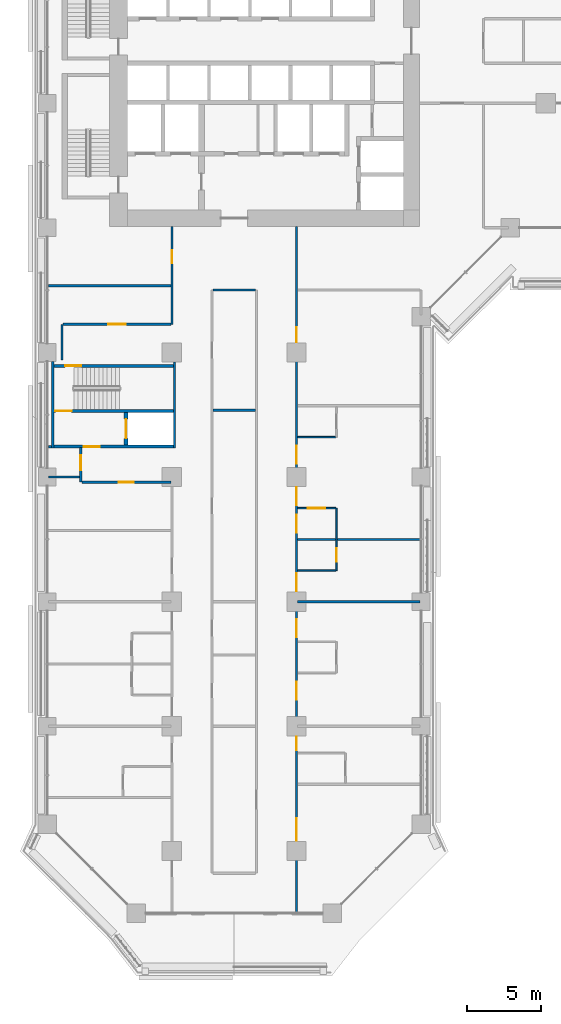
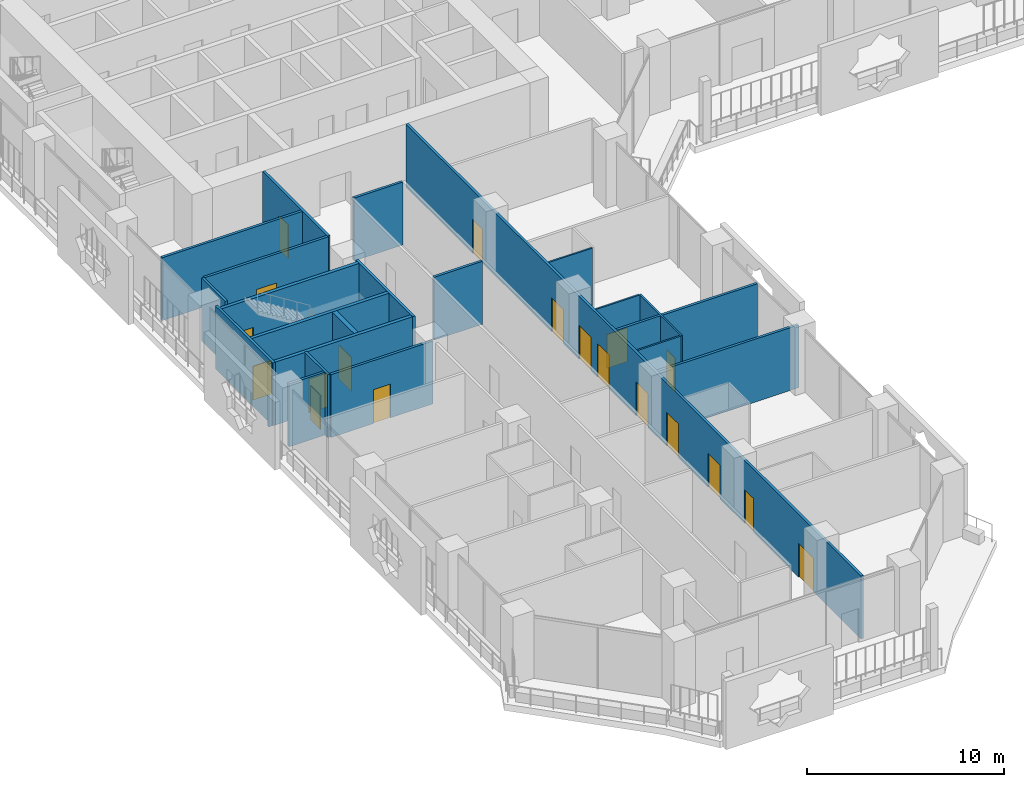
# One storey, part 14 of 28: 23 walls, 19 doors, 19 openings.
"""IFC4 building model written with IfcOpenShell, lengths in metres."""

from ifc_helpers import new_model, si_unit, direction, frame, frame_2d, origin, place, context, subcontext, project, spatial, rectangle, extrude, material, layer, layer_set, type_object, element, fill, save


model = new_model("IFC4")

# Units and contexts
model_context = context("Model", 3, precision=1e-05, world=origin(), true_north=direction((0.0, 1.0)))
body_context = subcontext(model_context, "Body", "Model", "MODEL_VIEW")
ifc_project = project(units=[si_unit("LENGTHUNIT", "METRE"), si_unit("AREAUNIT", "SQUARE_METRE"), si_unit("VOLUMEUNIT", "CUBIC_METRE"), si_unit("PLANEANGLEUNIT", "RADIAN"), si_unit("MASSUNIT", "GRAM", prefix="KILO")], contexts=[model_context])

# Site, building, storey
site_placement = place(None, origin())
site = spatial("IfcSite", under=ifc_project, at=site_placement, CompositionType="ELEMENT")
building_placement = place(site_placement, origin())
building = spatial("IfcBuilding", under=site, at=building_placement, Name="Kawkab Arch Medical Tower", CompositionType="ELEMENT")
storey_placement = place(building_placement, frame((0.0, 0.0, 72.800048828125)))
storey = spatial("IfcBuildingStorey", under=building, at=storey_placement, Name="L16", CompositionType="ELEMENT", Elevation=72.800048828125)

# Wall, opening, door
ifc_material_1 = material(Name="Concrete C60/75", Category="concrete")
ifc_layer_1 = layer(ifc_material_1, 0.25)
ifc_layer_set_1 = layer_set([ifc_layer_1], Name="Concrete C60/75")
wall_type_1 = type_object("IfcWallType", Name="Core shear wall 250 C60/75", PredefinedType="SHEAR", material=ifc_layer_set_1)
wall_1_placement = place(storey_placement, frame((5.300048828125, -39.85009765625, 0.0), z_axis=(0.0, 0.0, 1.0), x_axis=(0.0, 1.0, 0.0)))
wall_1 = element("IfcWall", 1, at=wall_1_placement, inside=storey, type_object=wall_type_1, Name="L16 core shear wall", PredefinedType="SHEAR", context=body_context, shape_type="SweptSolid", body=[
    extrude(rectangle(XDim=2.2001953125, YDim=0.25, at=frame_2d((1.10009765625, 0.0))), origin(), (0.0, 0.0, 1.0), 3.89990234375),
])
opening_1_placement = place(wall_1_placement, frame((0.449951171875, 0.0, 0.0)))
opening_1 = element("IfcOpeningElement", 2, at=opening_1_placement, cuts=wall_1, Name="Opening LD2", PredefinedType="OPENING", context=body_context, shape_type="SweptSolid", body=[
    extrude(rectangle(XDim=1.300048828125, YDim=2.10009765625, at=frame_2d((0.64990234375, 1.050048828125))), frame((0.0, 0.135009765625, 0.0), z_axis=(0.0, -1.0, 0.0), x_axis=(1.0, 0.0, 0.0)), (0.0, 0.0, 1.0), 0.27001953125),
])
ifc_material_2 = material(Name="Stainless steel lift door leaf", Category="steel")
door_type_1 = type_object("IfcDoorType", Name="Lift landing door 1300", OperationType="DOUBLE_DOOR_SLIDING", PredefinedType="DOOR", material=ifc_material_2)
door_1_placement = place(opening_1_placement, origin())
door_1 = element("IfcDoor", 3, at=door_1_placement, inside=storey, type_object=door_type_1, Name="L16 Lift landing door SV2", OperationType="DOUBLE_DOOR_SLIDING", OverallHeight=2.10009765625, OverallWidth=1.300048828125, PredefinedType="DOOR", context=body_context, shape_type="SweptSolid", body=[
    extrude(rectangle(XDim=1.300048828125, YDim=2.10009765625, at=frame_2d((0.64990234375, 1.050048828125))), frame((0.0, 0.02490234375, 0.0), z_axis=(0.0, -1.0, 0.0), x_axis=(1.0, 0.0, 0.0)), (0.0, 0.0, 1.0), 0.050048828125),
])
fill(opening_1, door_1)

# Wall
ifc_material_3 = material(Name="Gypsum board partition on steel studs", Category="steel")
ifc_layer_2 = layer(ifc_material_3, 0.10009765625)
ifc_layer_set_2 = layer_set([ifc_layer_2], Name="Gypsum board partition on steel studs")
wall_type_2 = type_object("IfcWallType", Name="Partition 100", PredefinedType="PARTITIONING", material=ifc_layer_set_2)
wall_2_placement = place(storey_placement, frame((16.875, -48.300048828125, 0.0), z_axis=(0.0, 0.0, 1.0), x_axis=(1.0, 0.0, 0.0)))
element("IfcWall", 4, at=wall_2_placement, inside=storey, type_object=wall_type_2, Name="Partition 100 w007", PredefinedType="PARTITIONING", context=body_context, shape_type="SweptSolid", body=[
    extrude(rectangle(XDim=2.574951171875, YDim=0.10009765625, at=frame_2d((1.28759765625, 0.0))), origin(), (0.0, 0.0, 1.0), 3.89990234375),
])

# Wall, opening, door
wall_3_placement = place(storey_placement, frame((16.875, -44.10009765625, 0.0), z_axis=(0.0, 0.0, 1.0), x_axis=(1.0, 0.0, 0.0)))
wall_3 = element("IfcWall", 5, at=wall_3_placement, inside=storey, type_object=wall_type_2, Name="Partition 100 w008", PredefinedType="PARTITIONING", context=body_context, shape_type="SweptSolid", body=[
    extrude(rectangle(XDim=2.574951171875, YDim=0.10009765625, at=frame_2d((1.28759765625, 0.0))), origin(), (0.0, 0.0, 1.0), 3.89990234375),
])
opening_2_placement = place(wall_3_placement, frame((0.675048828125, 0.0, 0.0)))
opening_2 = element("IfcOpeningElement", 6, at=opening_2_placement, cuts=wall_3, Name="Opening W11-070", PredefinedType="OPENING", context=body_context, shape_type="SweptSolid", body=[
    extrude(rectangle(XDim=1.199951171875, YDim=2.10009765625, at=frame_2d((0.60009765625, 1.050048828125))), frame((0.0, 0.06005859375, 0.0), z_axis=(0.0, -1.0, 0.0), x_axis=(1.0, 0.0, 0.0)), (0.0, 0.0, 1.0), 0.1201171875),
])
ifc_material_4 = material(Name="Timber door leaf", Category="wood")
door_type_2 = type_object("IfcDoorType", Name="Single door 1200x2100", OperationType="NOTDEFINED", PredefinedType="DOOR", material=ifc_material_4)
door_2_placement = place(opening_2_placement, origin())
door_2 = element("IfcDoor", 7, at=door_2_placement, inside=storey, type_object=door_type_2, Name="Door W11-070", OperationType="SINGLE_SWING_LEFT", OverallHeight=2.10009765625, OverallWidth=1.199951171875, PredefinedType="DOOR", context=body_context, shape_type="SweptSolid", body=[
    extrude(rectangle(XDim=1.199951171875, YDim=2.10009765625, at=frame_2d((0.60009765625, 1.050048828125))), frame((0.0, 0.02490234375, 0.0), z_axis=(0.0, -1.0, 0.0), x_axis=(1.0, 0.0, 0.0)), (0.0, 0.0, 1.0), 0.050048828125),
])
fill(opening_2, door_2)

# Wall
wall_4_placement = place(storey_placement, frame((16.875, -39.300048828125, 0.0), z_axis=(0.0, 0.0, 1.0), x_axis=(1.0, 0.0, 0.0)))
element("IfcWall", 8, at=wall_4_placement, inside=storey, type_object=wall_type_2, Name="Partition 100 w009", PredefinedType="PARTITIONING", context=body_context, shape_type="SweptSolid", body=[
    extrude(rectangle(XDim=2.574951171875, YDim=0.10009765625, at=frame_2d((1.28759765625, 0.0))), origin(), (0.0, 0.0, 1.0), 3.89990234375),
])

# Wall, opening, door
wall_5_placement = place(storey_placement, frame((19.5, -48.300048828125, 0.0), z_axis=(0.0, 0.0, 1.0), x_axis=(0.0, 1.0, 0.0)))
wall_5 = element("IfcWall", 9, at=wall_5_placement, inside=storey, type_object=wall_type_2, Name="Partition 100 w024", PredefinedType="PARTITIONING", context=body_context, shape_type="SweptSolid", body=[
    extrude(rectangle(XDim=4.199951171875, YDim=0.10009765625, at=frame_2d((2.10009765625, 0.0))), origin(), (0.0, 0.0, 1.0), 3.89990234375),
])
opening_3_placement = place(wall_5_placement, frame((0.60009765625, 0.0, 0.0)))
opening_3 = element("IfcOpeningElement", 10, at=opening_3_placement, cuts=wall_5, Name="Opening W11-023", PredefinedType="OPENING", context=body_context, shape_type="SweptSolid", body=[
    extrude(rectangle(XDim=0.89990234375, YDim=2.10009765625, at=frame_2d((0.449951171875, 1.050048828125))), frame((0.0, 0.06005859375, 0.0), z_axis=(0.0, -1.0, 0.0), x_axis=(1.0, 0.0, 0.0)), (0.0, 0.0, 1.0), 0.1201171875),
])
ifc_material_5 = material(Name="Timber door leaf", Category="wood")
door_type_3 = type_object("IfcDoorType", Name="Single door 900x2100", OperationType="NOTDEFINED", PredefinedType="DOOR", material=ifc_material_5)
door_3_placement = place(opening_3_placement, origin())
door_3 = element("IfcDoor", 11, at=door_3_placement, inside=storey, type_object=door_type_3, Name="Door W11-023", OperationType="SINGLE_SWING_RIGHT", OverallHeight=2.10009765625, OverallWidth=0.89990234375, PredefinedType="DOOR", context=body_context, shape_type="SweptSolid", body=[
    extrude(rectangle(XDim=0.89990234375, YDim=2.10009765625, at=frame_2d((0.449951171875, 1.050048828125))), frame((0.0, 0.02490234375, 0.0), z_axis=(0.0, -1.0, 0.0), x_axis=(1.0, 0.0, 0.0)), (0.0, 0.0, 1.0), 0.050048828125),
])
fill(opening_3, door_3)

# Walls
ifc_material_6 = material(Name="Gypsum board partition on steel studs, mineral wool", Category="steel")
ifc_layer_3 = layer(ifc_material_6, 0.14990234375)
ifc_layer_set_3 = layer_set([ifc_layer_3], Name="Gypsum board partition on steel studs, mineral wool")
wall_type_3 = type_object("IfcWallType", Name="Partition 150", PredefinedType="PARTITIONING", material=ifc_layer_set_3)
for number, where, z_axis, x_axis, name in (
    (12, (16.875, -50.39990234375, 0.0), (0.0, 0.0, 1.0), (1.0, 0.0, 0.0), "Partition 150 w049"),
    (13, (16.875, -46.199951171875, 0.0), (0.0, 0.0, 1.0), (1.0, 0.0, 0.0), "Partition 150 w050"),
):
    element("IfcWall", number, at=place(storey_placement, frame(where, z_axis=z_axis, x_axis=x_axis)), inside=storey, type_object=wall_type_3, Name=name, PredefinedType="PARTITIONING", context=body_context, shape_type="SweptSolid", body=[
        extrude(rectangle(XDim=8.2451171875, YDim=0.14990234375, at=frame_2d((4.12255859375, 0.0))), origin(), (0.0, 0.0, 1.0), 3.89990234375),
    ])

# Wall, opening, door
wall_6_placement = place(storey_placement, frame((2.326904296875, -42.35009765625, 0.0), z_axis=(0.0, 0.0, 1.0), x_axis=(1.0, 0.0, 0.0)))
wall_6 = element("IfcWall", 14, at=wall_6_placement, inside=storey, type_object=wall_type_3, Name="Partition 150 w052", PredefinedType="PARTITIONING", context=body_context, shape_type="SweptSolid", body=[
    extrude(rectangle(XDim=5.998046875, YDim=0.14990234375, at=frame_2d((2.9990234375, 0.0))), origin(), (0.0, 0.0, 1.0), 3.89990234375),
])
opening_4_placement = place(wall_6_placement, frame((2.4990234375, 0.0, 0.0)))
opening_4 = element("IfcOpeningElement", 15, at=opening_4_placement, cuts=wall_6, Name="Opening W11-034", PredefinedType="OPENING", context=body_context, shape_type="SweptSolid", body=[
    extrude(rectangle(XDim=1.0, YDim=2.10009765625, at=frame_2d((0.5, 1.050048828125))), frame((0.0, 0.0849609375, 0.0), z_axis=(0.0, -1.0, 0.0), x_axis=(1.0, 0.0, 0.0)), (0.0, 0.0, 1.0), 0.169921875),
])
ifc_material_7 = material(Name="Hollow metal door leaf")
door_type_4 = type_object("IfcDoorType", Name="Single door 1000x2100 FD30S", OperationType="NOTDEFINED", PredefinedType="DOOR", material=ifc_material_7)
door_4_placement = place(opening_4_placement, origin())
door_4 = element("IfcDoor", 16, at=door_4_placement, inside=storey, type_object=door_type_4, Name="Door W11-034", OperationType="SINGLE_SWING_RIGHT", OverallHeight=2.10009765625, OverallWidth=1.0, PredefinedType="DOOR", context=body_context, shape_type="SweptSolid", body=[
    extrude(rectangle(XDim=1.0, YDim=2.10009765625, at=frame_2d((0.5, 1.050048828125))), frame((0.0, 0.02490234375, 0.0), z_axis=(0.0, -1.0, 0.0), x_axis=(1.0, 0.0, 0.0)), (0.0, 0.0, 1.0), 0.050048828125),
])
fill(opening_4, door_4)

# Walls
wall_7_placement = place(storey_placement, frame((0.080078125, -42.0, 0.0), z_axis=(0.0, 0.0, 1.0), x_axis=(1.0, 0.0, 0.0)))
element("IfcWall", 17, at=wall_7_placement, inside=storey, type_object=wall_type_3, Name="Partition 150 w053", PredefinedType="PARTITIONING", context=body_context, shape_type="SweptSolid", body=[
    extrude(rectangle(XDim=2.094970703125, YDim=0.14990234375, at=frame_2d((1.04736328125, 0.0))), origin(), (0.0, 0.0, 1.0), 3.89990234375),
])
wall_8_placement = place(storey_placement, frame((0.080078125, -39.949951171875, 0.0), z_axis=(0.0, 0.0, 1.0), x_axis=(1.0, 0.0, 0.0)))
element("IfcWall", 18, at=wall_8_placement, inside=storey, type_object=wall_type_3, Name="Partition 150 w054", PredefinedType="PARTITIONING", context=body_context, shape_type="SweptSolid", body=[
    extrude(rectangle(XDim=0.18994140625, YDim=0.14990234375, at=frame_2d((0.094970703125, 0.0))), origin(), (0.0, 0.0, 1.0), 3.89990234375),
])
wall_9_placement = place(storey_placement, frame((11.175048828125, -37.5, 0.0), z_axis=(0.0, 0.0, 1.0), x_axis=(1.0, 0.0, 0.0)))
element("IfcWall", 19, at=wall_9_placement, inside=storey, type_object=wall_type_3, Name="Partition 150 w055", PredefinedType="PARTITIONING", context=body_context, shape_type="SweptSolid", body=[
    extrude(rectangle(XDim=2.849853515625, YDim=0.14990234375, at=frame_2d((1.4248046875, 0.0))), origin(), (0.0, 0.0, 1.0), 3.89990234375),
])

# Wall, opening, door
wall_10_placement = place(storey_placement, frame((1.076904296875, -31.70703125, 0.0), z_axis=(0.0, 0.0, 1.0), x_axis=(1.0, 0.0, 0.0)))
wall_10 = element("IfcWall", 20, at=wall_10_placement, inside=storey, type_object=wall_type_3, Name="Partition 150 w057", PredefinedType="PARTITIONING", context=body_context, shape_type="SweptSolid", body=[
    extrude(rectangle(XDim=7.248046875, YDim=0.14990234375, at=frame_2d((3.6240234375, 0.0))), origin(), (0.0, 0.0, 1.0), 3.89990234375),
])
opening_5_placement = place(wall_10_placement, frame((3.02392578125, 0.0, 0.0)))
opening_5 = element("IfcOpeningElement", 21, at=opening_5_placement, cuts=wall_10, Name="Opening W11-062", PredefinedType="OPENING", context=body_context, shape_type="SweptSolid", body=[
    extrude(rectangle(XDim=1.199951171875, YDim=2.10009765625, at=frame_2d((0.60009765625, 1.050048828125))), frame((0.0, 0.0849609375, 0.0), z_axis=(0.0, -1.0, 0.0), x_axis=(1.0, 0.0, 0.0)), (0.0, 0.0, 1.0), 0.169921875),
])
ifc_material_8 = material(Name="Hollow metal door leaf")
door_type_5 = type_object("IfcDoorType", Name="Single door 1200x2100 FD30S", OperationType="NOTDEFINED", PredefinedType="DOOR", material=ifc_material_8)
door_5_placement = place(opening_5_placement, origin())
door_5 = element("IfcDoor", 22, at=door_5_placement, inside=storey, type_object=door_type_5, Name="Door W11-062", OperationType="SINGLE_SWING_LEFT", OverallHeight=2.10009765625, OverallWidth=1.199951171875, PredefinedType="DOOR", context=body_context, shape_type="SweptSolid", body=[
    extrude(rectangle(XDim=1.199951171875, YDim=2.10009765625, at=frame_2d((0.60009765625, 1.050048828125))), frame((0.0, 0.02490234375, 0.0), z_axis=(0.0, -1.0, 0.0), x_axis=(1.0, 0.0, 0.0)), (0.0, 0.0, 1.0), 0.050048828125),
])
fill(opening_5, door_5)

# Walls
wall_11_placement = place(storey_placement, frame((11.175048828125, -29.39990234375, 0.0), z_axis=(0.0, 0.0, 1.0), x_axis=(1.0, 0.0, 0.0)))
element("IfcWall", 23, at=wall_11_placement, inside=storey, type_object=wall_type_3, Name="Partition 150 w058", PredefinedType="PARTITIONING", context=body_context, shape_type="SweptSolid", body=[
    extrude(rectangle(XDim=2.849853515625, YDim=0.14990234375, at=frame_2d((1.4248046875, 0.0))), origin(), (0.0, 0.0, 1.0), 3.89990234375),
])
wall_12_placement = place(storey_placement, frame((0.080078125, -29.10009765625, 0.0), z_axis=(0.0, 0.0, 1.0), x_axis=(1.0, 0.0, 0.0)))
element("IfcWall", 24, at=wall_12_placement, inside=storey, type_object=wall_type_3, Name="Partition 150 w060", PredefinedType="PARTITIONING", context=body_context, shape_type="SweptSolid", body=[
    extrude(rectangle(XDim=8.244873046875, YDim=0.14990234375, at=frame_2d((4.12255859375, 0.0))), origin(), (0.0, 0.0, 1.0), 3.89990234375),
])
wall_13_placement = place(storey_placement, frame((1.0, -34.123046875, 0.0), z_axis=(0.0, 0.0, 1.0), x_axis=(0.0, 1.0, 0.0)))
element("IfcWall", 25, at=wall_13_placement, inside=storey, type_object=wall_type_3, Name="Partition 150 w071", PredefinedType="PARTITIONING", context=body_context, shape_type="SweptSolid", body=[
    extrude(rectangle(XDim=2.4150390625, YDim=0.14990234375, at=frame_2d((1.20751953125, 0.0))), origin(), (0.0, 0.0, 1.0), 3.89990234375),
])

# Wall, opening, door
wall_14_placement = place(storey_placement, frame((2.25, -42.347900390625, 0.0), z_axis=(0.0, 0.0, 1.0), x_axis=(0.0, 1.0, 0.0)))
wall_14 = element("IfcWall", 26, at=wall_14_placement, inside=storey, type_object=wall_type_3, Name="Partition 150 w072", PredefinedType="PARTITIONING", context=body_context, shape_type="SweptSolid", body=[
    extrude(rectangle(XDim=2.347900390625, YDim=0.14990234375, at=frame_2d((1.173828125, 0.0))), origin(), (0.0, 0.0, 1.0), 3.89990234375),
])
opening_6_placement = place(wall_14_placement, frame((0.822998046875, 0.0, 0.0)))
opening_6 = element("IfcOpeningElement", 27, at=opening_6_placement, cuts=wall_14, Name="Opening W11-033", PredefinedType="OPENING", context=body_context, shape_type="SweptSolid", body=[
    extrude(rectangle(XDim=1.0, YDim=2.10009765625, at=frame_2d((0.5, 1.050048828125))), frame((0.0, 0.0849609375, 0.0), z_axis=(0.0, -1.0, 0.0), x_axis=(1.0, 0.0, 0.0)), (0.0, 0.0, 1.0), 0.169921875),
])
door_6_placement = place(opening_6_placement, origin())
door_6 = element("IfcDoor", 28, at=door_6_placement, inside=storey, type_object=door_type_4, Name="Door W11-033", OperationType="SINGLE_SWING_RIGHT", OverallHeight=2.10009765625, OverallWidth=1.0, PredefinedType="DOOR", context=body_context, shape_type="SweptSolid", body=[
    extrude(rectangle(XDim=1.0, YDim=2.10009765625, at=frame_2d((0.5, 1.050048828125))), frame((0.0, 0.02490234375, 0.0), z_axis=(0.0, -1.0, 0.0), x_axis=(1.0, 0.0, 0.0)), (0.0, 0.0, 1.0), 0.050048828125),
])
fill(opening_6, door_6)

wall_15_placement = place(storey_placement, frame((8.39990234375, -31.70703125, 0.0), z_axis=(0.0, 0.0, 1.0), x_axis=(0.0, 1.0, 0.0)))
wall_15 = element("IfcWall", 29, at=wall_15_placement, inside=storey, type_object=wall_type_3, Name="Partition 150 w074", PredefinedType="PARTITIONING", context=body_context, shape_type="SweptSolid", body=[
    extrude(rectangle(XDim=6.60693359375, YDim=0.14990234375, at=frame_2d((3.303466796875, 0.0))), origin(), (0.0, 0.0, 1.0), 3.89990234375),
])
opening_7_placement = place(wall_15_placement, frame((4.10693359375, 0.0, 0.0)))
opening_7 = element("IfcOpeningElement", 30, at=opening_7_placement, cuts=wall_15, Name="Opening W11-017", PredefinedType="OPENING", context=body_context, shape_type="SweptSolid", body=[
    extrude(rectangle(XDim=0.89990234375, YDim=2.10009765625, at=frame_2d((0.449951171875, 1.050048828125))), frame((0.0, 0.0849609375, 0.0), z_axis=(0.0, -1.0, 0.0), x_axis=(1.0, 0.0, 0.0)), (0.0, 0.0, 1.0), 0.169921875),
])
door_7_placement = place(opening_7_placement, origin())
door_7 = element("IfcDoor", 31, at=door_7_placement, inside=storey, type_object=door_type_3, Name="Door W11-017", OperationType="SINGLE_SWING_RIGHT", OverallHeight=2.10009765625, OverallWidth=0.89990234375, PredefinedType="DOOR", context=body_context, shape_type="SweptSolid", body=[
    extrude(rectangle(XDim=0.89990234375, YDim=2.10009765625, at=frame_2d((0.449951171875, 1.050048828125))), frame((0.0, 0.02490234375, 0.0), z_axis=(0.0, -1.0, 0.0), x_axis=(1.0, 0.0, 0.0)), (0.0, 0.0, 1.0), 0.050048828125),
])
fill(opening_7, door_7)

# Wall, openings, doors
wall_16_placement = place(storey_placement, frame((16.800048828125, -71.320068359375, 0.0), z_axis=(0.0, 0.0, 1.0), x_axis=(0.0, 1.0, 0.0)))
wall_16 = element("IfcWall", 32, at=wall_16_placement, inside=storey, type_object=wall_type_3, Name="Partition 150 w077", PredefinedType="PARTITIONING", context=body_context, shape_type="SweptSolid", body=[
    extrude(rectangle(XDim=46.219970703125, YDim=0.14990234375, at=frame_2d((23.10986328125, 0.0))), origin(), (0.0, 0.0, 1.0), 3.89990234375),
])
opening_8_placement = place(wall_16_placement, frame((38.419921875, 0.0, 0.0)))
opening_8 = element("IfcOpeningElement", 33, at=opening_8_placement, cuts=wall_16, Name="Opening W11-040", PredefinedType="OPENING", context=body_context, shape_type="SweptSolid", body=[
    extrude(rectangle(XDim=1.0, YDim=2.10009765625, at=frame_2d((0.5, 1.050048828125))), frame((0.0, 0.0849609375, 0.0), z_axis=(0.0, -1.0, 0.0), x_axis=(1.0, 0.0, 0.0)), (0.0, 0.0, 1.0), 0.169921875),
])
opening_9_placement = place(wall_16_placement, frame((30.219970703125, 0.0, 0.0)))
opening_9 = element("IfcOpeningElement", 34, at=opening_9_placement, cuts=wall_16, Name="Opening W11-067", PredefinedType="OPENING", context=body_context, shape_type="SweptSolid", body=[
    extrude(rectangle(XDim=1.199951171875, YDim=2.10009765625, at=frame_2d((0.60009765625, 1.050048828125))), frame((0.0, 0.0849609375, 0.0), z_axis=(0.0, -1.0, 0.0), x_axis=(1.0, 0.0, 0.0)), (0.0, 0.0, 1.0), 0.169921875),
])
opening_10_placement = place(wall_16_placement, frame((27.419921875, 0.0, 0.0)))
opening_10 = element("IfcOpeningElement", 35, at=opening_10_placement, cuts=wall_16, Name="Opening W11-068", PredefinedType="OPENING", context=body_context, shape_type="SweptSolid", body=[
    extrude(rectangle(XDim=1.199951171875, YDim=2.10009765625, at=frame_2d((0.60009765625, 1.050048828125))), frame((0.0, 0.0849609375, 0.0), z_axis=(0.0, -1.0, 0.0), x_axis=(1.0, 0.0, 0.0)), (0.0, 0.0, 1.0), 0.169921875),
])
opening_11_placement = place(wall_16_placement, frame((25.570068359375, 0.0, 0.0)))
opening_11 = element("IfcOpeningElement", 36, at=opening_11_placement, cuts=wall_16, Name="Opening W11-069", PredefinedType="OPENING", context=body_context, shape_type="SweptSolid", body=[
    extrude(rectangle(XDim=1.199951171875, YDim=2.10009765625, at=frame_2d((0.60009765625, 1.050048828125))), frame((0.0, 0.0849609375, 0.0), z_axis=(0.0, -1.0, 0.0), x_axis=(1.0, 0.0, 0.0)), (0.0, 0.0, 1.0), 0.169921875),
])
opening_12_placement = place(wall_16_placement, frame((21.6201171875, 0.0, 0.0)))
opening_12 = element("IfcOpeningElement", 37, at=opening_12_placement, cuts=wall_16, Name="Opening W11-071", PredefinedType="OPENING", context=body_context, shape_type="SweptSolid", body=[
    extrude(rectangle(XDim=1.199951171875, YDim=2.10009765625, at=frame_2d((0.60009765625, 1.050048828125))), frame((0.0, 0.0849609375, 0.0), z_axis=(0.0, -1.0, 0.0), x_axis=(1.0, 0.0, 0.0)), (0.0, 0.0, 1.0), 0.169921875),
])
opening_13_placement = place(wall_16_placement, frame((14.320068359375, 0.0, 0.0)))
opening_13 = element("IfcOpeningElement", 38, at=opening_13_placement, cuts=wall_16, Name="Opening W11-072", PredefinedType="OPENING", context=body_context, shape_type="SweptSolid", body=[
    extrude(rectangle(XDim=1.199951171875, YDim=2.10009765625, at=frame_2d((0.60009765625, 1.050048828125))), frame((0.0, 0.0849609375, 0.0), z_axis=(0.0, -1.0, 0.0), x_axis=(1.0, 0.0, 0.0)), (0.0, 0.0, 1.0), 0.169921875),
])
opening_14_placement = place(wall_16_placement, frame((18.52001953125, 0.0, 0.0)))
opening_14 = element("IfcOpeningElement", 39, at=opening_14_placement, cuts=wall_16, Name="Opening W11-073", PredefinedType="OPENING", context=body_context, shape_type="SweptSolid", body=[
    extrude(rectangle(XDim=1.199951171875, YDim=2.10009765625, at=frame_2d((0.60009765625, 1.050048828125))), frame((0.0, 0.0849609375, 0.0), z_axis=(0.0, -1.0, 0.0), x_axis=(1.0, 0.0, 0.0)), (0.0, 0.0, 1.0), 0.169921875),
])
opening_15_placement = place(wall_16_placement, frame((10.919921875, 0.0, 0.0)))
opening_15 = element("IfcOpeningElement", 40, at=opening_15_placement, cuts=wall_16, Name="Opening W11-027", PredefinedType="OPENING", context=body_context, shape_type="SweptSolid", body=[
    extrude(rectangle(XDim=0.89990234375, YDim=2.10009765625, at=frame_2d((0.449951171875, 1.050048828125))), frame((0.0, 0.0849609375, 0.0), z_axis=(0.0, -1.0, 0.0), x_axis=(1.0, 0.0, 0.0)), (0.0, 0.0, 1.0), 0.169921875),
])
opening_16_placement = place(wall_16_placement, frame((4.820068359375, 0.0, 0.0)))
opening_16 = element("IfcOpeningElement", 41, at=opening_16_placement, cuts=wall_16, Name="Opening W11-005", PredefinedType="OPENING", context=body_context, shape_type="SweptSolid", body=[
    extrude(rectangle(XDim=1.5, YDim=2.10009765625, at=frame_2d((0.75, 1.050048828125))), frame((0.0, 0.0849609375, 0.0), z_axis=(0.0, -1.0, 0.0), x_axis=(1.0, 0.0, 0.0)), (0.0, 0.0, 1.0), 0.169921875),
])
ifc_material_9 = material(Name="Hollow metal door leaf")
door_type_6 = type_object("IfcDoorType", Name="Double door 1500x2100 FD30S", OperationType="NOTDEFINED", PredefinedType="DOOR", material=ifc_material_9)
door_8_placement = place(opening_16_placement, origin())
door_8 = element("IfcDoor", 42, at=door_8_placement, inside=storey, type_object=door_type_6, Name="Door W11-005", OperationType="DOUBLE_DOOR_SINGLE_SWING", OverallHeight=2.10009765625, OverallWidth=1.5, PredefinedType="DOOR", context=body_context, shape_type="SweptSolid", body=[
    extrude(rectangle(XDim=1.5, YDim=2.10009765625, at=frame_2d((0.75, 1.050048828125))), frame((0.0, 0.02490234375, 0.0), z_axis=(0.0, -1.0, 0.0), x_axis=(1.0, 0.0, 0.0)), (0.0, 0.0, 1.0), 0.050048828125),
])
fill(opening_16, door_8)
door_9_placement = place(opening_8_placement, origin())
door_9 = element("IfcDoor", 43, at=door_9_placement, inside=storey, type_object=door_type_4, Name="Door W11-040", OperationType="SINGLE_SWING_LEFT", OverallHeight=2.10009765625, OverallWidth=1.0, PredefinedType="DOOR", context=body_context, shape_type="SweptSolid", body=[
    extrude(rectangle(XDim=1.0, YDim=2.10009765625, at=frame_2d((0.5, 1.050048828125))), frame((0.0, 0.02490234375, 0.0), z_axis=(0.0, -1.0, 0.0), x_axis=(1.0, 0.0, 0.0)), (0.0, 0.0, 1.0), 0.050048828125),
])
fill(opening_8, door_9)
door_10_placement = place(opening_9_placement, origin())
door_10 = element("IfcDoor", 44, at=door_10_placement, inside=storey, type_object=door_type_5, Name="Door W11-067", OperationType="SINGLE_SWING_LEFT", OverallHeight=2.10009765625, OverallWidth=1.199951171875, PredefinedType="DOOR", context=body_context, shape_type="SweptSolid", body=[
    extrude(rectangle(XDim=1.199951171875, YDim=2.10009765625, at=frame_2d((0.60009765625, 1.050048828125))), frame((0.0, 0.02490234375, 0.0), z_axis=(0.0, -1.0, 0.0), x_axis=(1.0, 0.0, 0.0)), (0.0, 0.0, 1.0), 0.050048828125),
])
fill(opening_9, door_10)
door_11_placement = place(opening_10_placement, origin())
door_11 = element("IfcDoor", 45, at=door_11_placement, inside=storey, type_object=door_type_5, Name="Door W11-068", OperationType="SINGLE_SWING_LEFT", OverallHeight=2.10009765625, OverallWidth=1.199951171875, PredefinedType="DOOR", context=body_context, shape_type="SweptSolid", body=[
    extrude(rectangle(XDim=1.199951171875, YDim=2.10009765625, at=frame_2d((0.60009765625, 1.050048828125))), frame((0.0, 0.02490234375, 0.0), z_axis=(0.0, -1.0, 0.0), x_axis=(1.0, 0.0, 0.0)), (0.0, 0.0, 1.0), 0.050048828125),
])
fill(opening_10, door_11)
door_12_placement = place(opening_11_placement, origin())
door_12 = element("IfcDoor", 46, at=door_12_placement, inside=storey, type_object=door_type_5, Name="Door W11-069", OperationType="SINGLE_SWING_LEFT", OverallHeight=2.10009765625, OverallWidth=1.199951171875, PredefinedType="DOOR", context=body_context, shape_type="SweptSolid", body=[
    extrude(rectangle(XDim=1.199951171875, YDim=2.10009765625, at=frame_2d((0.60009765625, 1.050048828125))), frame((0.0, 0.02490234375, 0.0), z_axis=(0.0, -1.0, 0.0), x_axis=(1.0, 0.0, 0.0)), (0.0, 0.0, 1.0), 0.050048828125),
])
fill(opening_11, door_12)
door_13_placement = place(opening_12_placement, origin())
door_13 = element("IfcDoor", 47, at=door_13_placement, inside=storey, type_object=door_type_5, Name="Door W11-071", OperationType="SINGLE_SWING_RIGHT", OverallHeight=2.10009765625, OverallWidth=1.199951171875, PredefinedType="DOOR", context=body_context, shape_type="SweptSolid", body=[
    extrude(rectangle(XDim=1.199951171875, YDim=2.10009765625, at=frame_2d((0.60009765625, 1.050048828125))), frame((0.0, 0.02490234375, 0.0), z_axis=(0.0, -1.0, 0.0), x_axis=(1.0, 0.0, 0.0)), (0.0, 0.0, 1.0), 0.050048828125),
])
fill(opening_12, door_13)
door_14_placement = place(opening_13_placement, origin())
door_14 = element("IfcDoor", 48, at=door_14_placement, inside=storey, type_object=door_type_5, Name="Door W11-072", OperationType="SINGLE_SWING_RIGHT", OverallHeight=2.10009765625, OverallWidth=1.199951171875, PredefinedType="DOOR", context=body_context, shape_type="SweptSolid", body=[
    extrude(rectangle(XDim=1.199951171875, YDim=2.10009765625, at=frame_2d((0.60009765625, 1.050048828125))), frame((0.0, 0.02490234375, 0.0), z_axis=(0.0, -1.0, 0.0), x_axis=(1.0, 0.0, 0.0)), (0.0, 0.0, 1.0), 0.050048828125),
])
fill(opening_13, door_14)
door_15_placement = place(opening_14_placement, origin())
door_15 = element("IfcDoor", 49, at=door_15_placement, inside=storey, type_object=door_type_5, Name="Door W11-073", OperationType="SINGLE_SWING_RIGHT", OverallHeight=2.10009765625, OverallWidth=1.199951171875, PredefinedType="DOOR", context=body_context, shape_type="SweptSolid", body=[
    extrude(rectangle(XDim=1.199951171875, YDim=2.10009765625, at=frame_2d((0.60009765625, 1.050048828125))), frame((0.0, 0.02490234375, 0.0), z_axis=(0.0, -1.0, 0.0), x_axis=(1.0, 0.0, 0.0)), (0.0, 0.0, 1.0), 0.050048828125),
])
fill(opening_14, door_15)
ifc_material_10 = material(Name="Hollow metal door leaf")
door_type_7 = type_object("IfcDoorType", Name="Single door 900x2100 FD30S", OperationType="NOTDEFINED", PredefinedType="DOOR", material=ifc_material_10)
door_16_placement = place(opening_15_placement, origin())
door_16 = element("IfcDoor", 50, at=door_16_placement, inside=storey, type_object=door_type_7, Name="Door W11-027", OperationType="SINGLE_SWING_RIGHT", OverallHeight=2.10009765625, OverallWidth=0.89990234375, PredefinedType="DOOR", context=body_context, shape_type="SweptSolid", body=[
    extrude(rectangle(XDim=0.89990234375, YDim=2.10009765625, at=frame_2d((0.449951171875, 1.050048828125))), frame((0.0, 0.02490234375, 0.0), z_axis=(0.0, -1.0, 0.0), x_axis=(1.0, 0.0, 0.0)), (0.0, 0.0, 1.0), 0.050048828125),
])
fill(opening_15, door_16)

# Walls
ifc_material_11 = material(Name="Concrete C50/60", Category="concrete")
ifc_layer_4 = layer(ifc_material_11, 0.14990234375)
ifc_layer_set_4 = layer_set([ifc_layer_4], Name="Concrete C50/60")
wall_type_4 = type_object("IfcWallType", Name="Stair enclosure wall 150 C50/60", PredefinedType="SHEAR", material=ifc_layer_set_4)
wall_17_placement = place(storey_placement, frame((0.375, -40.050048828125, 0.0), z_axis=(0.0, 0.0, 1.0), x_axis=(0.0, 1.0, 0.0)))
element("IfcWall", 51, at=wall_17_placement, inside=storey, type_object=wall_type_4, Name="L16 stair enclosure wall", PredefinedType="SHEAR", context=body_context, shape_type="SweptSolid", body=[
    extrude(rectangle(XDim=5.85009765625, YDim=0.14990234375, at=frame_2d((2.925048828125, 0.0))), origin(), (0.0, 0.0, 1.0), 3.89990234375),
])
wall_18_placement = place(storey_placement, frame((8.574951171875, -40.050048828125, 0.0), z_axis=(0.0, 0.0, 1.0), x_axis=(0.0, 1.0, 0.0)))
element("IfcWall", 52, at=wall_18_placement, inside=storey, type_object=wall_type_4, Name="L16 stair enclosure wall", PredefinedType="SHEAR", context=body_context, shape_type="SweptSolid", body=[
    extrude(rectangle(XDim=5.800048828125, YDim=0.14990234375, at=frame_2d((2.89990234375, 0.0))), origin(), (0.0, 0.0, 1.0), 3.89990234375),
])

# Wall, opening, door
ifc_material_12 = material(Name="Concrete C50/60", Category="concrete")
ifc_layer_5 = layer(ifc_material_12, 0.199951171875)
ifc_layer_set_5 = layer_set([ifc_layer_5], Name="Concrete C50/60")
wall_type_5 = type_object("IfcWallType", Name="Stair enclosure wall 200 C50/60", PredefinedType="SHEAR", material=ifc_layer_set_5)
wall_19_placement = place(storey_placement, frame((0.449951171875, -34.5, 0.0), z_axis=(0.0, 0.0, 1.0), x_axis=(1.0, 0.0, 0.0)))
wall_19 = element("IfcWall", 53, at=wall_19_placement, inside=storey, type_object=wall_type_5, Name="L16 stair enclosure wall", PredefinedType="SHEAR", context=body_context, shape_type="SweptSolid", body=[
    extrude(rectangle(XDim=8.050048828125, YDim=0.199951171875, at=frame_2d((4.02490234375, 0.0))), origin(), (0.0, 0.0, 1.0), 3.89990234375),
])
opening_17_placement = place(wall_19_placement, frame((0.75, 0.0, 0.0)))
opening_17 = element("IfcOpeningElement", 54, at=opening_17_placement, cuts=wall_19, Name="Opening SD", PredefinedType="OPENING", context=body_context, shape_type="SweptSolid", body=[
    extrude(rectangle(XDim=1.10009765625, YDim=2.10009765625, at=frame_2d((0.550048828125, 1.050048828125))), frame((0.0, 0.10986328125, 0.0), z_axis=(0.0, -1.0, 0.0), x_axis=(1.0, 0.0, 0.0)), (0.0, 0.0, 1.0), 0.219970703125),
])
ifc_material_13 = material(Name="Hollow metal fire door leaf")
door_type_8 = type_object("IfcDoorType", Name="Exit stair door 1100", OperationType="SINGLE_SWING_LEFT", PredefinedType="DOOR", material=ifc_material_13)
door_17_placement = place(opening_17_placement, origin())
door_17 = element("IfcDoor", 55, at=door_17_placement, inside=storey, type_object=door_type_8, Name="L16 Exit stair ST6 door", OperationType="SINGLE_SWING_LEFT", OverallHeight=2.10009765625, OverallWidth=1.10009765625, PredefinedType="DOOR", context=body_context, shape_type="SweptSolid", body=[
    extrude(rectangle(XDim=1.10009765625, YDim=2.10009765625, at=frame_2d((0.550048828125, 1.050048828125))), frame((0.0, 0.02490234375, 0.0), z_axis=(0.0, -1.0, 0.0), x_axis=(1.0, 0.0, 0.0)), (0.0, 0.0, 1.0), 0.050048828125),
])
fill(opening_17, door_17)

wall_20_placement = place(storey_placement, frame((0.449951171875, -37.550048828125, 0.0), z_axis=(0.0, 0.0, 1.0), x_axis=(1.0, 0.0, 0.0)))
wall_20 = element("IfcWall", 56, at=wall_20_placement, inside=storey, type_object=wall_type_5, Name="L16 stair enclosure wall", PredefinedType="SHEAR", context=body_context, shape_type="SweptSolid", body=[
    extrude(rectangle(XDim=8.050048828125, YDim=0.199951171875, at=frame_2d((4.02490234375, 0.0))), origin(), (0.0, 0.0, 1.0), 3.89990234375),
])
opening_18_placement = place(wall_20_placement, frame((0.10009765625, 0.0, 0.0)))
opening_18 = element("IfcOpeningElement", 57, at=opening_18_placement, cuts=wall_20, Name="Opening SD", PredefinedType="OPENING", context=body_context, shape_type="SweptSolid", body=[
    extrude(rectangle(XDim=1.10009765625, YDim=2.10009765625, at=frame_2d((0.550048828125, 1.050048828125))), frame((0.0, 0.10986328125, 0.0), z_axis=(0.0, -1.0, 0.0), x_axis=(1.0, 0.0, 0.0)), (0.0, 0.0, 1.0), 0.219970703125),
])
door_18_placement = place(opening_18_placement, frame((1.10009765625, 0.0, 0.0), z_axis=(0.0, 0.0, 1.0), x_axis=(-1.0, 0.0, 0.0)))
door_18 = element("IfcDoor", 58, at=door_18_placement, inside=storey, type_object=door_type_8, Name="L16 Exit stair ST6 lobby door", OperationType="SINGLE_SWING_LEFT", OverallHeight=2.10009765625, OverallWidth=1.10009765625, PredefinedType="DOOR", context=body_context, shape_type="SweptSolid", body=[
    extrude(rectangle(XDim=1.10009765625, YDim=2.10009765625, at=frame_2d((0.550048828125, 1.050048828125))), frame((0.0, 0.02490234375, 0.0), z_axis=(0.0, -1.0, 0.0), x_axis=(1.0, 0.0, 0.0)), (0.0, 0.0, 1.0), 0.050048828125),
])
fill(opening_18, door_18)

wall_21_placement = place(storey_placement, frame((0.449951171875, -39.949951171875, 0.0), z_axis=(0.0, 0.0, 1.0), x_axis=(1.0, 0.0, 0.0)))
wall_21 = element("IfcWall", 59, at=wall_21_placement, inside=storey, type_object=wall_type_5, Name="L16 stair enclosure wall", PredefinedType="SHEAR", context=body_context, shape_type="SweptSolid", body=[
    extrude(rectangle(XDim=8.050048828125, YDim=0.199951171875, at=frame_2d((4.02490234375, 0.0))), origin(), (0.0, 0.0, 1.0), 3.89990234375),
])
opening_19_placement = place(wall_21_placement, frame((2.0, 0.0, 0.0)))
opening_19 = element("IfcOpeningElement", 60, at=opening_19_placement, cuts=wall_21, Name="Opening FD", PredefinedType="OPENING", context=body_context, shape_type="SweptSolid", body=[
    extrude(rectangle(XDim=1.10009765625, YDim=2.10009765625, at=frame_2d((0.550048828125, 1.050048828125))), frame((0.0, 0.10986328125, 0.0), z_axis=(0.0, -1.0, 0.0), x_axis=(1.0, 0.0, 0.0)), (0.0, 0.0, 1.0), 0.219970703125),
])
ifc_material_14 = material(Name="Hollow metal fire door leaf")
door_type_9 = type_object("IfcDoorType", Name="Firefighting lobby door 1100", OperationType="SINGLE_SWING_LEFT", PredefinedType="DOOR", material=ifc_material_14)
door_19_placement = place(opening_19_placement, origin())
door_19 = element("IfcDoor", 61, at=door_19_placement, inside=storey, type_object=door_type_9, Name="L16 Service lift lobby door SV2", OperationType="SINGLE_SWING_LEFT", OverallHeight=2.10009765625, OverallWidth=1.10009765625, PredefinedType="DOOR", context=body_context, shape_type="SweptSolid", body=[
    extrude(rectangle(XDim=1.10009765625, YDim=2.10009765625, at=frame_2d((0.550048828125, 1.050048828125))), frame((0.0, 0.02490234375, 0.0), z_axis=(0.0, -1.0, 0.0), x_axis=(1.0, 0.0, 0.0)), (0.0, 0.0, 1.0), 0.050048828125),
])
fill(opening_19, door_19)

save(model, "model.ifc")
